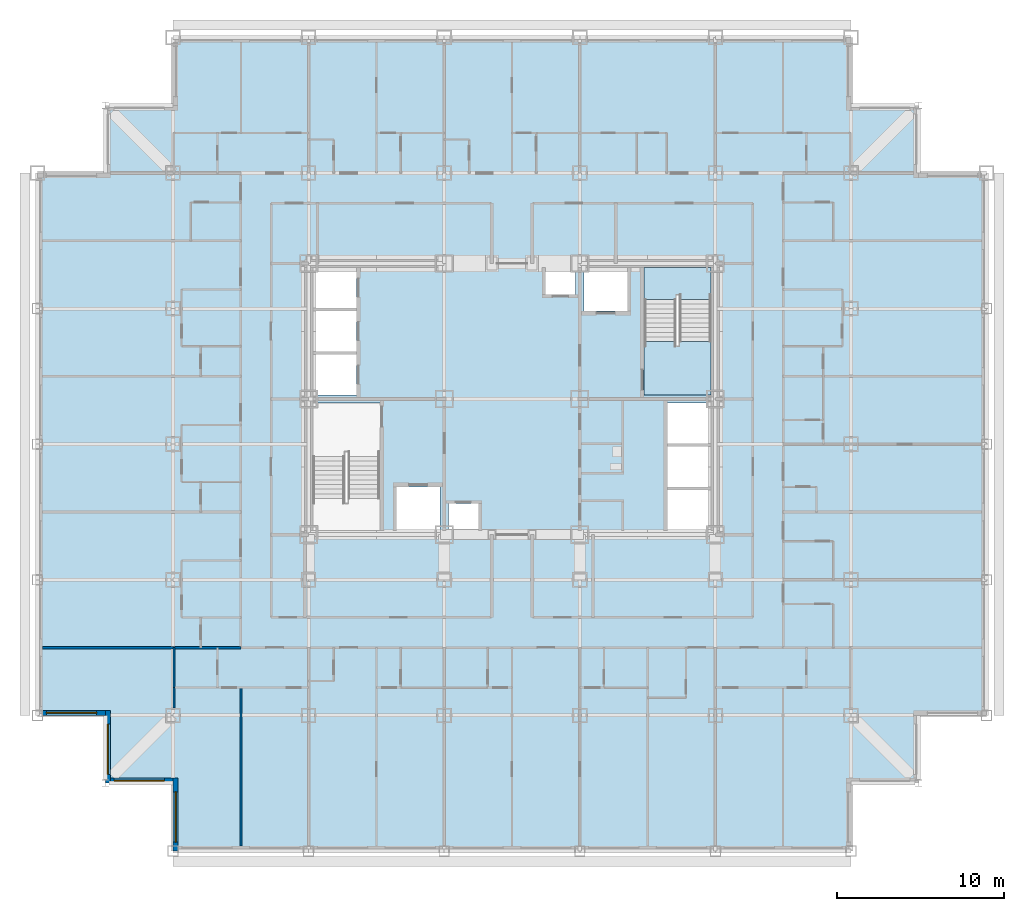
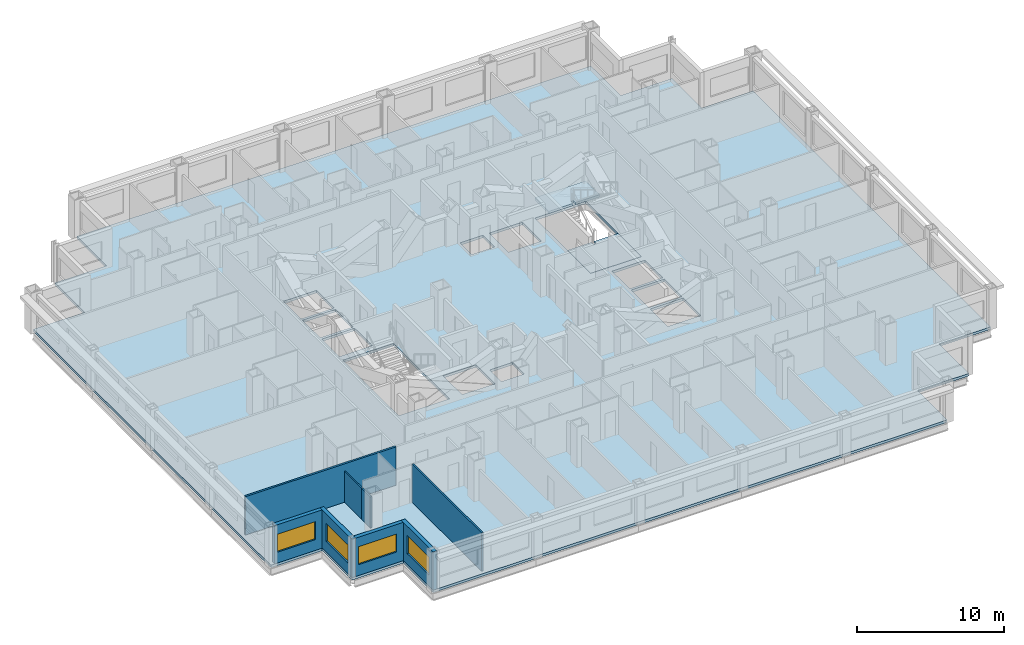
# One storey, part 3 of 13: 8 walls, 4 windows, 3 slabs, 4 openings, 1 element without a shape of its own.
"""IFC4 building model written with IfcOpenShell, lengths in metres."""

from ifc_helpers import new_model, si_unit, direction, frame, frame_2d, origin, place, context, subcontext, project, spatial, polyline, rectangle, outline, extrude, material, layer, layer_set, type_object, element, fill, aggregate, save


model = new_model("IFC4")

# Units and contexts
model_context = context("Model", 3, precision=1e-05, world=origin(), true_north=direction((0.0, 1.0)))
body_context = subcontext(model_context, "Body", "Model", "MODEL_VIEW")
ifc_project = project(units=[si_unit("LENGTHUNIT", "METRE"), si_unit("AREAUNIT", "SQUARE_METRE"), si_unit("VOLUMEUNIT", "CUBIC_METRE"), si_unit("PLANEANGLEUNIT", "RADIAN"), si_unit("MASSUNIT", "GRAM", prefix="KILO")], contexts=[model_context])

# Site, building, storey
site_placement = place(None, origin())
site = spatial("IfcSite", under=ifc_project, at=site_placement, CompositionType="ELEMENT")
building_placement = place(site_placement, origin())
building = spatial("IfcBuilding", under=site, at=building_placement, Name="Kopane Lantern Tower", CompositionType="ELEMENT")
storey_placement = place(building_placement, frame((0.0, 0.0, 113.60009765625)))
storey = spatial("IfcBuildingStorey", under=building, at=storey_placement, Name="L28", CompositionType="ELEMENT", Elevation=113.60009765625)

# Slab
ifc_material_1 = material(Name="Concrete C40/50", Category="concrete")
ifc_layer_1 = layer(ifc_material_1, 0.2099609375)
ifc_layer_set_1 = layer_set([ifc_layer_1], Name="SLAB 210 COMPOSITE")
slab_type_1 = type_object("IfcSlabType", Name="SLAB 210 COMPOSITE", PredefinedType="FLOOR", material=ifc_layer_set_1)
slab_1_placement = place(storey_placement, frame((0.0, 0.0, -0.210205078125)))
element("IfcSlab", 1, at=slab_1_placement, inside=storey, type_object=slab_type_1, Name="Floor slab L28", PredefinedType="FLOOR", context=body_context, shape_type="SweptSolid", body=[
    extrude(outline(polyline([(8.10009765625, 5.39990234375), (48.60009765625, 5.39990234375), (48.60009765625, 9.449951171875), (52.64990234375, 9.449951171875), (52.64990234375, 13.5), (56.699951171875, 13.5), (56.699951171875, 45.89990234375), (52.64990234375, 45.89990234375), (52.64990234375, 49.949951171875), (48.60009765625, 49.949951171875), (48.60009765625, 54.0), (8.10009765625, 54.0), (8.10009765625, 49.949951171875), (4.050048828125, 49.949951171875), (4.050048828125, 45.89990234375), (0.0, 45.89990234375), (0.0, 13.5), (4.050048828125, 13.5), (4.050048828125, 9.449951171875), (8.10009765625, 9.449951171875), (8.10009765625, 5.39990234375)]), holes=[polyline([(16.449951171875, 24.550048828125), (20.449951171875, 24.550048828125), (20.449951171875, 32.14990234375), (16.449951171875, 32.14990234375), (16.449951171875, 24.550048828125)]), polyline([(36.25, 32.64990234375), (40.25, 32.64990234375), (40.25, 40.25), (36.25, 40.25), (36.25, 32.64990234375)]), polyline([(16.449951171875, 32.64990234375), (19.050048828125, 32.64990234375), (19.050048828125, 35.050048828125), (16.449951171875, 35.050048828125), (16.449951171875, 32.64990234375)]), polyline([(16.449951171875, 35.25), (19.050048828125, 35.25), (19.050048828125, 37.64990234375), (16.449951171875, 37.64990234375), (16.449951171875, 35.25)]), polyline([(16.449951171875, 37.85009765625), (19.050048828125, 37.85009765625), (19.050048828125, 40.25), (16.449951171875, 40.25), (16.449951171875, 37.85009765625)]), polyline([(37.64990234375, 24.550048828125), (40.25, 24.550048828125), (40.25, 26.949951171875), (37.64990234375, 26.949951171875), (37.64990234375, 24.550048828125)]), polyline([(37.64990234375, 27.14990234375), (40.25, 27.14990234375), (40.25, 29.550048828125), (37.64990234375, 29.550048828125), (37.64990234375, 27.14990234375)]), polyline([(37.64990234375, 29.75), (40.25, 29.75), (40.25, 32.14990234375), (37.64990234375, 32.14990234375), (37.64990234375, 29.75)]), polyline([(21.449951171875, 24.550048828125), (24.050048828125, 24.550048828125), (24.050048828125, 27.14990234375), (21.449951171875, 27.14990234375), (21.449951171875, 24.550048828125)]), polyline([(32.64990234375, 37.64990234375), (35.25, 37.64990234375), (35.25, 40.25), (32.64990234375, 40.25), (32.64990234375, 37.64990234375)]), polyline([(24.550048828125, 24.550048828125), (26.35009765625, 24.550048828125), (26.35009765625, 26.14990234375), (24.550048828125, 26.14990234375), (24.550048828125, 24.550048828125)]), polyline([(30.35009765625, 38.64990234375), (32.14990234375, 38.64990234375), (32.14990234375, 40.25), (30.35009765625, 40.25), (30.35009765625, 38.64990234375)])]), origin(), (0.0, 0.0, 1.0), 0.210205078125),
])

# Stair, slabs
ifc_material_2 = material(Name="Steel S355JR", Category="steel")
stair_type = type_object("IfcStairType", Name="EXIT STAIR 1900 HALF TURN", PredefinedType="HALF_TURN_STAIR", material=ifc_material_2)
stair_placement = place(storey_placement, origin())
stair = element("IfcStair", 2, at=stair_placement, inside=storey, type_object=stair_type, Name="Exit stair ST2 L28", PredefinedType="HALF_TURN_STAIR")
ifc_material_3 = material(Name="Concrete C40/50", Category="concrete")
ifc_layer_2 = layer(ifc_material_3, 0.199951171875)
ifc_layer_set_2 = layer_set([ifc_layer_2], Name="STAIR LANDING 200")
slab_type_2 = type_object("IfcSlabType", Name="STAIR LANDING 200", PredefinedType="LANDING", material=ifc_layer_set_2)
slab_2_placement = place(storey_placement, frame((0.0, 0.0, -0.2001953125)))
slab_2 = element("IfcSlab", 3, at=slab_2_placement, type_object=slab_type_2, Name="ST2 landing 1", PredefinedType="LANDING", context=body_context, shape_type="SweptSolid", body=[
    extrude(outline(polyline([(40.25, 35.830078125), (38.35009765625, 35.830078125), (38.35009765625, 35.550048828125), (38.14990234375, 35.550048828125), (38.14990234375, 35.830078125), (36.25, 35.830078125), (36.25, 32.64990234375), (40.25, 32.64990234375), (40.25, 35.830078125)])), origin(), (0.0, 0.0, 1.0), 0.2001953125),
])
slab_3_placement = place(storey_placement, frame((0.0, 0.0, 1.5)))
slab_3 = element("IfcSlab", 4, at=slab_3_placement, type_object=slab_type_2, Name="ST2 landing 2", PredefinedType="LANDING", context=body_context, shape_type="SweptSolid", body=[
    extrude(outline(polyline([(38.14990234375, 38.6298828125), (38.35009765625, 38.6298828125), (38.35009765625, 38.35009765625), (40.25, 38.35009765625), (40.25, 40.25), (36.25, 40.25), (36.25, 38.35009765625), (38.14990234375, 38.35009765625), (38.14990234375, 38.6298828125)])), origin(), (0.0, 0.0, 1.0), 0.199951171875),
])
aggregate(stair, [slab_2, slab_3])

# Walls
ifc_material_4 = material(Name="Gypsum board on steel studs", Category="steel")
ifc_layer_3 = layer(ifc_material_4, 0.1201171875)
ifc_layer_set_3 = layer_set([ifc_layer_3], Name="APARTMENT INTERNAL WALL 120")
wall_type_1 = type_object("IfcWallType", Name="APARTMENT INTERNAL WALL 120", PredefinedType="PARTITIONING", material=ifc_layer_set_3)
wall_1_placement = place(storey_placement, frame((12.14990234375, 15.14990234375, 0.0), z_axis=(0.0, 0.0, 1.0), x_axis=(0.0, -1.0, 0.0)))
element("IfcWall", 5, at=wall_1_placement, inside=storey, type_object=wall_type_1, Name="Apartment Internal Wall 120 L28", PredefinedType="PARTITIONING", context=body_context, shape_type="SweptSolid", body=[
    extrude(rectangle(XDim=9.449951171875, YDim=0.1201171875, at=frame_2d((4.72509765625, 0.0))), origin(), (0.0, 0.0, 1.0), 3.18994140625),
])
wall_2_placement = place(storey_placement, frame((8.14990234375, 15.14990234375, 0.0), z_axis=(0.0, 0.0, 1.0), x_axis=(0.0, -1.0, 0.0)))
element("IfcWall", 6, at=wall_2_placement, inside=storey, type_object=wall_type_1, Name="Apartment Internal Wall 120 L28", PredefinedType="PARTITIONING", context=body_context, shape_type="SweptSolid", body=[
    extrude(rectangle(XDim=1.199951171875, YDim=0.1201171875, at=frame_2d((0.60009765625, 0.0))), origin(), (0.0, 0.0, 1.0), 2.57763671875),
])
ifc_material_5 = material(Name="Moisture-resistant board on steel studs", Category="steel")
ifc_layer_4 = layer(ifc_material_5, 0.10009765625)
ifc_layer_set_4 = layer_set([ifc_layer_4], Name="BATHROOM WALL 100")
wall_type_2 = type_object("IfcWallType", Name="BATHROOM WALL 100", PredefinedType="PARTITIONING", material=ifc_layer_set_4)
wall_3_placement = place(storey_placement, frame((8.14990234375, 17.550048828125, 0.0), z_axis=(0.0, 0.0, 1.0), x_axis=(0.0, -1.0, 0.0)))
element("IfcWall", 7, at=wall_3_placement, inside=storey, type_object=wall_type_2, Name="Bathroom Wall 100 L28", PredefinedType="PARTITIONING", context=body_context, shape_type="SweptSolid", body=[
    extrude(rectangle(XDim=2.400146484375, YDim=0.10009765625, at=frame_2d((1.2001953125, 0.0))), origin(), (0.0, 0.0, 1.0), 2.57763671875),
])
ifc_material_6 = material(Name="Gypsum board on steel studs", Category="steel")
ifc_layer_5 = layer(ifc_material_6, 0.14990234375)
ifc_layer_set_5 = layer_set([ifc_layer_5], Name="DEMISING WALL 150 EI 60")
wall_type_3 = type_object("IfcWallType", Name="DEMISING WALL 150 EI 60", PredefinedType="PARTITIONING", material=ifc_layer_set_5)
wall_4_placement = place(storey_placement, frame((0.300048828125, 17.550048828125, 0.0), z_axis=(0.0, 0.0, 1.0), x_axis=(1.0, 0.0, 0.0)))
element("IfcWall", 8, at=wall_4_placement, inside=storey, type_object=wall_type_3, Name="Demising Wall 150 Ei 60 L28", PredefinedType="PARTITIONING", context=body_context, shape_type="SweptSolid", body=[
    extrude(rectangle(XDim=11.849853515625, YDim=0.14990234375, at=frame_2d((5.9248046875, 0.0))), origin(), (0.0, 0.0, 1.0), 3.18994140625),
])

# Wall, opening, window
ifc_material_7 = material(Name="Terracotta rainscreen on light steel framing", Category="masonry")
ifc_layer_6 = layer(ifc_material_7, 0.300048828125)
ifc_layer_set_6 = layer_set([ifc_layer_6], Name="EXTERNAL WALL EW1 300 TERRACOTTA")
wall_type_4 = type_object("IfcWallType", Name="EXTERNAL WALL EW1 300 TERRACOTTA", PredefinedType="SOLIDWALL", material=ifc_layer_set_6)
wall_5_placement = place(storey_placement, frame((0.300048828125, 13.64990234375, 0.0), z_axis=(0.0, 0.0, 1.0), x_axis=(1.0, 0.0, 0.0)))
wall_5 = element("IfcWall", 9, at=wall_5_placement, inside=storey, type_object=wall_type_4, Name="External wall S L28", PredefinedType="SOLIDWALL", context=body_context, shape_type="SweptSolid", body=[
    extrude(rectangle(XDim=3.75, YDim=0.300048828125, at=frame_2d((1.875, 0.0))), origin(), (0.0, 0.0, 1.0), 3.18994140625),
])
opening_1_placement = place(wall_5_placement, frame((0.22509765625, 0.0, 0.89990234375)))
opening_1 = element("IfcOpeningElement", 10, at=opening_1_placement, cuts=wall_5, Name="Opening WR300150", PredefinedType="OPENING", context=body_context, shape_type="SweptSolid", body=[
    extrude(rectangle(XDim=3.0, YDim=1.5, at=frame_2d((1.5, 0.75))), frame((0.0, 0.159912109375, 0.0), z_axis=(0.0, -1.0, 0.0), x_axis=(1.0, 0.0, 0.0)), (0.0, 0.0, 1.0), 0.320068359375),
])
ifc_material_8 = material(Name="Aluminium and clear glass", Category="aluminium")
window_type = type_object("IfcWindowType", Name="RIBBON WINDOW WR300150 3000x1500", PartitioningType="SINGLE_PANEL", PredefinedType="WINDOW", material=ifc_material_8)
window_1_placement = place(opening_1_placement, origin())
window_1 = element("IfcWindow", 11, at=window_1_placement, inside=storey, type_object=window_type, Name="Window S L28", OverallHeight=1.5, OverallWidth=3.0, PartitioningType="SINGLE_PANEL", PredefinedType="WINDOW", context=body_context, shape_type="SweptSolid", body=[
    extrude(rectangle(XDim=3.0, YDim=1.5, at=frame_2d((1.5, 0.75))), frame((0.0, 0.030029296875, 0.0), z_axis=(0.0, -1.0, 0.0), x_axis=(1.0, 0.0, 0.0)), (0.0, 0.0, 1.0), 0.06005859375),
])
fill(opening_1, window_1)

wall_6_placement = place(storey_placement, frame((4.199951171875, 13.800048828125, 0.0), z_axis=(0.0, 0.0, 1.0), x_axis=(0.0, -1.0, 0.0)))
wall_6 = element("IfcWall", 12, at=wall_6_placement, inside=storey, type_object=wall_type_4, Name="External wall W L28", PredefinedType="SOLIDWALL", context=body_context, shape_type="SweptSolid", body=[
    extrude(rectangle(XDim=4.35009765625, YDim=0.300048828125, at=frame_2d((2.175048828125, 0.0))), origin(), (0.0, 0.0, 1.0), 3.18994140625),
])
opening_2_placement = place(wall_6_placement, frame((0.824951171875, 0.0, 0.89990234375)))
opening_2 = element("IfcOpeningElement", 13, at=opening_2_placement, cuts=wall_6, Name="Opening WR300150", PredefinedType="OPENING", context=body_context, shape_type="SweptSolid", body=[
    extrude(rectangle(XDim=3.0, YDim=1.5, at=frame_2d((1.5, 0.75))), frame((0.0, 0.159912109375, 0.0), z_axis=(0.0, -1.0, 0.0), x_axis=(1.0, 0.0, 0.0)), (0.0, 0.0, 1.0), 0.320068359375),
])
window_2_placement = place(opening_2_placement, origin())
window_2 = element("IfcWindow", 14, at=window_2_placement, inside=storey, type_object=window_type, Name="Window W L28", OverallHeight=1.5, OverallWidth=3.0, PartitioningType="SINGLE_PANEL", PredefinedType="WINDOW", context=body_context, shape_type="SweptSolid", body=[
    extrude(rectangle(XDim=3.0, YDim=1.5, at=frame_2d((1.5, 0.75))), frame((0.0, 0.030029296875, 0.0), z_axis=(0.0, -1.0, 0.0), x_axis=(1.0, 0.0, 0.0)), (0.0, 0.0, 1.0), 0.06005859375),
])
fill(opening_2, window_2)

wall_7_placement = place(storey_placement, frame((4.35009765625, 9.60009765625, 0.0), z_axis=(0.0, 0.0, 1.0), x_axis=(1.0, 0.0, 0.0)))
wall_7 = element("IfcWall", 15, at=wall_7_placement, inside=storey, type_object=wall_type_4, Name="External wall S L28", PredefinedType="SOLIDWALL", context=body_context, shape_type="SweptSolid", body=[
    extrude(rectangle(XDim=3.75, YDim=0.300048828125, at=frame_2d((1.875, 0.0))), origin(), (0.0, 0.0, 1.0), 3.18994140625),
])
opening_3_placement = place(wall_7_placement, frame((0.22509765625, 0.0, 0.89990234375)))
opening_3 = element("IfcOpeningElement", 16, at=opening_3_placement, cuts=wall_7, Name="Opening WR300150", PredefinedType="OPENING", context=body_context, shape_type="SweptSolid", body=[
    extrude(rectangle(XDim=3.0, YDim=1.5, at=frame_2d((1.5, 0.75))), frame((0.0, 0.159912109375, 0.0), z_axis=(0.0, -1.0, 0.0), x_axis=(1.0, 0.0, 0.0)), (0.0, 0.0, 1.0), 0.320068359375),
])
window_3_placement = place(opening_3_placement, origin())
window_3 = element("IfcWindow", 17, at=window_3_placement, inside=storey, type_object=window_type, Name="Window S L28", OverallHeight=1.5, OverallWidth=3.0, PartitioningType="SINGLE_PANEL", PredefinedType="WINDOW", context=body_context, shape_type="SweptSolid", body=[
    extrude(rectangle(XDim=3.0, YDim=1.5, at=frame_2d((1.5, 0.75))), frame((0.0, 0.030029296875, 0.0), z_axis=(0.0, -1.0, 0.0), x_axis=(1.0, 0.0, 0.0)), (0.0, 0.0, 1.0), 0.06005859375),
])
fill(opening_3, window_3)

wall_8_placement = place(storey_placement, frame((8.25, 9.75, 0.0), z_axis=(0.0, 0.0, 1.0), x_axis=(0.0, -1.0, 0.0)))
wall_8 = element("IfcWall", 18, at=wall_8_placement, inside=storey, type_object=wall_type_4, Name="External wall W L28", PredefinedType="SOLIDWALL", context=body_context, shape_type="SweptSolid", body=[
    extrude(rectangle(XDim=4.35009765625, YDim=0.300048828125, at=frame_2d((2.175048828125, 0.0))), origin(), (0.0, 0.0, 1.0), 3.18994140625),
])
opening_4_placement = place(wall_8_placement, frame((0.824951171875, 0.0, 0.89990234375)))
opening_4 = element("IfcOpeningElement", 19, at=opening_4_placement, cuts=wall_8, Name="Opening WR300150", PredefinedType="OPENING", context=body_context, shape_type="SweptSolid", body=[
    extrude(rectangle(XDim=3.0, YDim=1.5, at=frame_2d((1.5, 0.75))), frame((0.0, 0.159912109375, 0.0), z_axis=(0.0, -1.0, 0.0), x_axis=(1.0, 0.0, 0.0)), (0.0, 0.0, 1.0), 0.320068359375),
])
window_4_placement = place(opening_4_placement, origin())
window_4 = element("IfcWindow", 20, at=window_4_placement, inside=storey, type_object=window_type, Name="Window W L28", OverallHeight=1.5, OverallWidth=3.0, PartitioningType="SINGLE_PANEL", PredefinedType="WINDOW", context=body_context, shape_type="SweptSolid", body=[
    extrude(rectangle(XDim=3.0, YDim=1.5, at=frame_2d((1.5, 0.75))), frame((0.0, 0.030029296875, 0.0), z_axis=(0.0, -1.0, 0.0), x_axis=(1.0, 0.0, 0.0)), (0.0, 0.0, 1.0), 0.06005859375),
])
fill(opening_4, window_4)

save(model, "model.ifc")
